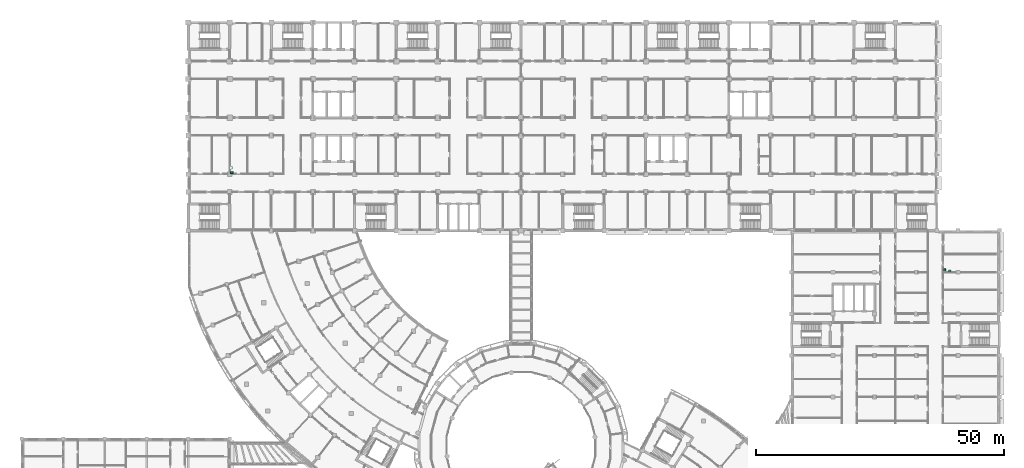
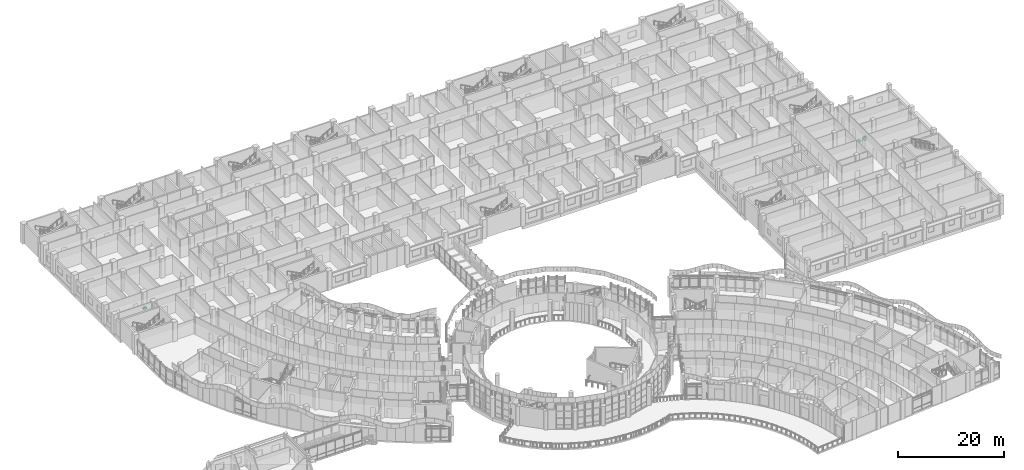
# One storey, part 136 of 136: 3 sanitary terminals.
"""IFC4 building model written with IfcOpenShell, lengths in metres."""

from ifc_helpers import new_model, si_unit, direction, frame, origin, origin_2d, place, context, subcontext, project, spatial, rectangle, extrude, material, type_object, element, save


model = new_model("IFC4")

# Units and contexts
model_context = context("Model", 3, precision=1e-05, world=origin(), true_north=direction((0.0, 1.0)))
body_context = subcontext(model_context, "Body", "Model", "MODEL_VIEW")
ifc_project = project(units=[si_unit("LENGTHUNIT", "METRE"), si_unit("AREAUNIT", "SQUARE_METRE"), si_unit("VOLUMEUNIT", "CUBIC_METRE"), si_unit("PLANEANGLEUNIT", "RADIAN"), si_unit("MASSUNIT", "GRAM", prefix="KILO")], contexts=[model_context])

# Site, building, storey
site_placement = place(None, origin())
site = spatial("IfcSite", under=ifc_project, at=site_placement, CompositionType="ELEMENT")
building_placement = place(site_placement, origin())
building = spatial("IfcBuilding", under=site, at=building_placement, Name="Bougainvillea Quay General Hospital", CompositionType="ELEMENT")
storey_placement = place(building_placement, frame((0.0, 0.0, 5.39990234375)))
storey = spatial("IfcBuildingStorey", under=building, at=storey_placement, Name="L01", CompositionType="ELEMENT", Elevation=5.39990234375)

# Sanitary terminals
ifc_material = material(Name="Vitreous china")
sanitary_terminal_type_1 = type_object("IfcSanitaryTerminalType", Name="Wall-hung toilet pan 400x700", PredefinedType="TOILETPAN", material=ifc_material)
for number, where, z_axis, x_axis, name in (
    (1, (194.699951171875, 109.60009765625, 0.000244140625), (0.0, 0.0, 1.0), (-1.0, 0.0, 0.0), "Wall-hung toilet pan"),
    (2, (50.800048828125, 129.300048828125, 0.000244140625), (0.0, 0.0, 1.0), (0.0, 1.0, 0.0), "Wall-hung toilet pan"),
):
    element("IfcSanitaryTerminal", number, at=place(storey_placement, frame(where, z_axis=z_axis, x_axis=x_axis)), inside=storey, type_object=sanitary_terminal_type_1, Name=name, PredefinedType="TOILETPAN", context=body_context, shape_type="SweptSolid", body=[
        extrude(rectangle(XDim=0.39990234375, YDim=0.699951171875, at=origin_2d()), origin(), (0.0, 0.0, 1.0), 0.39990234375),
    ])
sanitary_terminal_type_2 = type_object("IfcSanitaryTerminalType", Name="Wash hand basin 550x450", PredefinedType="WASHHANDBASIN", material=ifc_material)
sanitary_terminal_placement = place(storey_placement, frame((195.72509765625, 109.47509765625, 0.0), z_axis=(0.0, 0.0, 1.0), x_axis=(-1.0, 0.0, 0.0)))
element("IfcSanitaryTerminal", 3, at=sanitary_terminal_placement, inside=storey, type_object=sanitary_terminal_type_2, Name="Wash hand basin", PredefinedType="WASHHANDBASIN", context=body_context, shape_type="SweptSolid", body=[
    extrude(rectangle(XDim=0.550048828125, YDim=0.449951171875, at=origin_2d()), origin(), (0.0, 0.0, 1.0), 0.85009765625),
])

save(model, "model.ifc")
